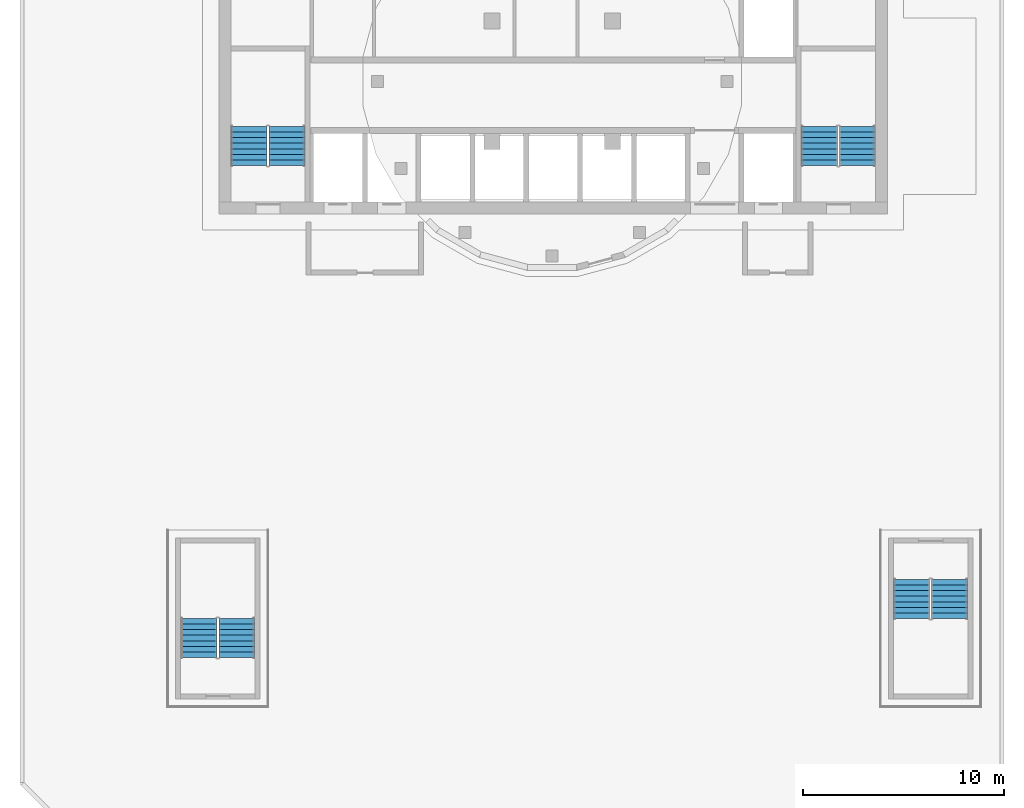
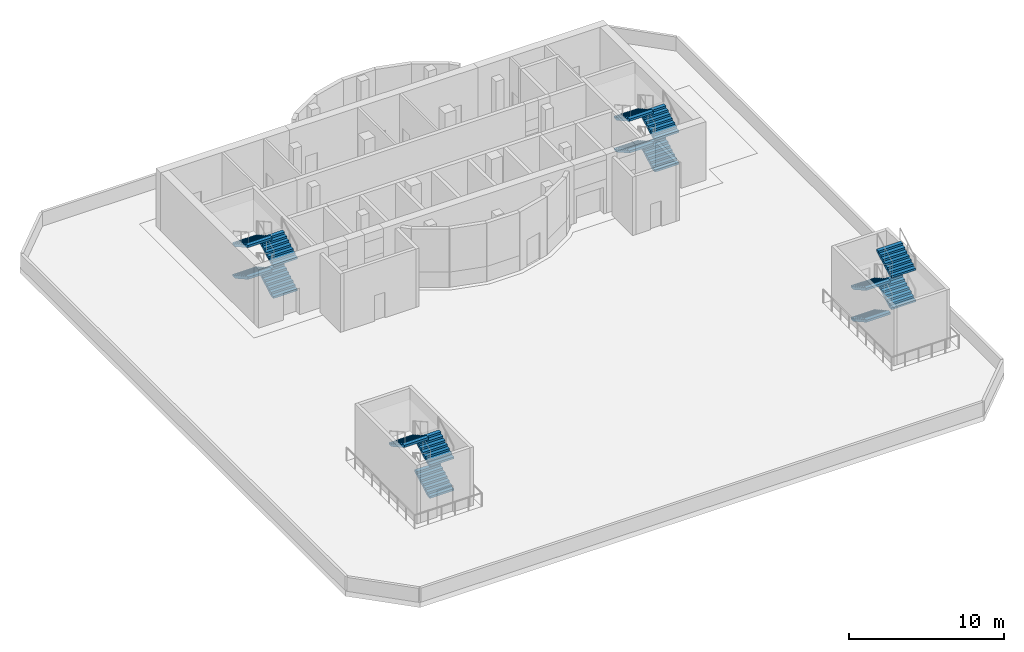
# One storey, part 5 of 7: 15 stair flights, 4 elements without a shape of their own.
"""IFC4 building model written with IfcOpenShell, lengths in metres."""

import ifcopenshell
import ifcopenshell.guid

model = None  # the IFC model being written
_history = None  # IfcOwnerHistory: only IFC2X3 demands one
_inside = {}  # id of a spatial element -> (the spatial element, [elements in it])
_under = {}  # id of a project, library or spatial element -> (it, [spatial elements below it])
_declared = {}  # id of a project -> (the project, [libraries it declares])
_typed = {}  # id of a type object -> (the type object, [elements of that type])
_made_of = {}  # id of a material, layer set ... -> (it, [elements and type objects made of it])


def new_model(schema):
    """Start an empty IFC model of exactly this schema.

    Asked for "IFC4X3", IfcOpenShell would pick the latest addendum, in which some entities
    have other attributes; the version numbers below select the first issue.
    IFC2X3 requires an IfcOwnerHistory on every rooted entity: one is made here for all.
    """
    global model, _history
    if schema == "IFC4X3":
        model = ifcopenshell.file(schema_version=(4, 3, 0, 0))
    else:
        model = ifcopenshell.file(schema=schema)
    _inside.clear()
    _under.clear()
    _declared.clear()
    _typed.clear()
    _made_of.clear()
    _history = None
    if model.schema == "IFC2X3":
        org = make("IfcOrganization", Name="unknown")
        user = make(
            "IfcPersonAndOrganization",
            ThePerson=make("IfcPerson", FamilyName="unknown"),
            TheOrganization=org,
        )
        app = make(
            "IfcApplication",
            ApplicationDeveloper=org,
            Version="unknown",
            ApplicationFullName="unknown",
            ApplicationIdentifier="unknown",
        )
        _history = make(
            "IfcOwnerHistory",
            OwningUser=user,
            OwningApplication=app,
            ChangeAction="ADDED",
            CreationDate=0,
        )
    return model


def make(cls, **values):
    """One entity of the class cls with the attributes given. An attribute that is None is left unset."""
    return model.create_entity(
        cls, **{name: value for name, value in values.items() if value is not None}
    )


def rooted(cls, **values):
    """An entity with a GlobalId (a new one), such as an element, a storey or a relation."""
    return make(cls, GlobalId=ifcopenshell.guid.new(), OwnerHistory=_history, **values)


def si_unit(unit_type, name, prefix=None):
    """IfcSIUnit, for example si_unit("LENGTHUNIT", "METRE", prefix="MILLI")."""
    return make("IfcSIUnit", UnitType=unit_type, Prefix=prefix, Name=name)


def assignment(units):
    """IfcUnitAssignment: the units of a project."""
    return None if units is None else make("IfcUnitAssignment", Units=units)


def point(xyz):
    """IfcCartesianPoint."""
    return None if xyz is None else make("IfcCartesianPoint", Coordinates=xyz)


def direction(xyz):
    """IfcDirection."""
    return None if xyz is None else make("IfcDirection", DirectionRatios=xyz)


def frame(location, z_axis=None, x_axis=None):
    """IfcAxis2Placement3D, a coordinate frame: its origin and axes. An axis left out is left unset."""
    return make(
        "IfcAxis2Placement3D",
        Location=point(location),
        Axis=direction(z_axis),
        RefDirection=direction(x_axis),
    )


def origin():
    """The frame at (0, 0, 0) with its axes left unset."""
    return frame((0.0, 0.0, 0.0))


def place(relative_to, where):
    """IfcLocalPlacement: puts the frame where relative to a parent placement (None: the world)."""
    return make(
        "IfcLocalPlacement", PlacementRelTo=relative_to, RelativePlacement=where
    )


def context(
    kind, dimensions, precision=None, world=None, true_north=None, identifier=None
):
    """IfcGeometricRepresentationContext, for example the 3D "Model" context."""
    return make(
        "IfcGeometricRepresentationContext",
        ContextIdentifier=identifier,
        ContextType=kind,
        CoordinateSpaceDimension=dimensions,
        Precision=precision,
        WorldCoordinateSystem=world,
        TrueNorth=true_north,
    )


def subcontext(parent, identifier, kind, view, scale=None):
    """IfcGeometricRepresentationSubContext, for example "Body" below "Model"."""
    return make(
        "IfcGeometricRepresentationSubContext",
        ContextIdentifier=identifier,
        ContextType=kind,
        ParentContext=parent,
        TargetScale=scale,
        TargetView=view,
    )


def project(units=None, contexts=None):
    """IfcProject with its units and contexts."""
    return rooted(
        "IfcProject",
        Name="project",
        RepresentationContexts=contexts,
        UnitsInContext=assignment(units),
    )


def spatial(cls, under=None, at=None, **own):
    """A site, building, storey or space (cls), placed at a placement, below another one or the project."""
    s = rooted(cls, ObjectPlacement=at, **own)
    if under is not None:
        _under.setdefault(under.id(), (under, []))[1].append(s)
    return s


def point_list(points):
    """IfcCartesianPointList2D or 3D."""
    cls = (
        "IfcCartesianPointList2D" if len(points[0]) == 2 else "IfcCartesianPointList3D"
    )
    return make(cls, CoordList=points)


def triangles(points, corners, closed=None, point_numbers=None):
    """IfcTriangulatedFaceSet: each triangle names its three corners, points numbered from 1."""
    return make(
        "IfcTriangulatedFaceSet",
        Coordinates=point_list(points),
        Closed=closed,
        CoordIndex=corners,
        PnIndex=point_numbers,
    )


def shape(context_of_items, identifier, shape_type, items):
    """IfcShapeRepresentation: the items that make up one representation, for example the "Body"."""
    return make(
        "IfcShapeRepresentation",
        ContextOfItems=context_of_items,
        RepresentationIdentifier=identifier,
        RepresentationType=shape_type,
        Items=items,
    )


def source(mapping_origin, context_of_items, identifier, shape_type, items):
    """IfcRepresentationMap: a shape defined once, which mapped items show again and again."""
    return make(
        "IfcRepresentationMap",
        MappingOrigin=mapping_origin,
        MappedRepresentation=shape(context_of_items, identifier, shape_type, items),
    )


def transform(
    local_origin,
    x_axis=None,
    y_axis=None,
    z_axis=None,
    scale=None,
    scale2=None,
    scale3=None,
    uniform=True,
):
    """IfcCartesianTransformationOperator3D, or its non-uniform kind. x_axis, y_axis, z_axis: its Axis1, 2, 3."""
    if uniform:
        return make(
            "IfcCartesianTransformationOperator3D",
            Axis1=direction(x_axis),
            Axis2=direction(y_axis),
            LocalOrigin=point(local_origin),
            Scale=scale,
            Axis3=direction(z_axis),
        )
    return make(
        "IfcCartesianTransformationOperator3DnonUniform",
        Axis1=direction(x_axis),
        Axis2=direction(y_axis),
        LocalOrigin=point(local_origin),
        Scale=scale,
        Axis3=direction(z_axis),
        Scale2=scale2,
        Scale3=scale3,
    )


def mapped(mapping_source, mapping_target):
    """IfcMappedItem: shows the shape of a source again, moved by a transform."""
    return make(
        "IfcMappedItem", MappingSource=mapping_source, MappingTarget=mapping_target
    )


def material(Name=None, Category=None):
    """IfcMaterial."""
    return make("IfcMaterial", Name=Name, Category=Category)


def made_of(thing, what):
    """Note that an element or type object is made of a material, layer set ...; save() writes the relation."""
    if what is not None:
        _made_of.setdefault(what.id(), (what, []))[1].append(thing)
    return thing


def type_object(cls, material=None, **own):
    """A type object (cls), such as IfcWallType, which elements share."""
    return made_of(rooted(cls, **own), material)


def element(
    cls,
    number,
    at=None,
    inside=None,
    cuts=None,
    type_object=None,
    material=None,
    context=None,
    identifier="Body",
    shape_type=None,
    held_by="IfcProductDefinitionShape",
    body=None,
    shapes=None,
    **own,
):
    """One element of the class cls, such as IfcWall. Its Tag is "e" and its number.

    at: its placement. inside: the storey or other place that contains it. cuts: it is an
    opening in that element (IfcRelVoidsElement). A single representation is given by context,
    identifier, shape_type and body (its items); several are given by shapes. held_by: the class
    of the entity that holds the representations. save() writes the other relations.
    """
    e = rooted(cls, Tag="e%d" % number, ObjectPlacement=at, **own)
    if body is not None:
        shapes = [shape(context, identifier, shape_type, body)]
    if shapes is not None:
        e.Representation = make(held_by, Representations=shapes)
    if inside is not None:
        _inside.setdefault(inside.id(), (inside, []))[1].append(e)
    if cuts is not None:
        rooted(
            "IfcRelVoidsElement", RelatingBuildingElement=cuts, RelatedOpeningElement=e
        )
    if type_object is not None:
        _typed.setdefault(type_object.id(), (type_object, []))[1].append(e)
    return made_of(e, material)


def aggregate(whole, parts):
    """IfcRelAggregates: a whole, such as a stair, and the parts it consists of."""
    return rooted("IfcRelAggregates", RelatingObject=whole, RelatedObjects=parts)


def save(model, path):
    """Write the relations noted so far, then the file.

    IfcRelAggregates (storeys below a building ...), IfcRelContainedInSpatialStructure (elements
    in a storey), IfcRelDefinesByType, IfcRelAssociatesMaterial and IfcRelDeclares: one each for
    every whole, place, type object, material and project.
    """
    for whole, parts in _under.values():
        aggregate(whole, parts)
    for where, things in _inside.values():
        rooted(
            "IfcRelContainedInSpatialStructure",
            RelatedElements=things,
            RelatingStructure=where,
        )
    for kind, things in _typed.values():
        rooted("IfcRelDefinesByType", RelatedObjects=things, RelatingType=kind)
    for what, things in _made_of.values():
        rooted("IfcRelAssociatesMaterial", RelatedObjects=things, RelatingMaterial=what)
    for by, libraries in _declared.values():
        rooted("IfcRelDeclares", RelatingContext=by, RelatedDefinitions=libraries)
    model.write(path)


model = new_model("IFC4")

# Units and contexts
model_context = context("Model", 3, precision=1e-05, world=origin(), true_north=direction((0.0, 1.0)))
body_context = subcontext(model_context, "Body", "Model", "MODEL_VIEW")
ifc_project = project(units=[si_unit("LENGTHUNIT", "METRE"), si_unit("AREAUNIT", "SQUARE_METRE"), si_unit("VOLUMEUNIT", "CUBIC_METRE"), si_unit("PLANEANGLEUNIT", "RADIAN"), si_unit("MASSUNIT", "GRAM", prefix="KILO")], contexts=[model_context])

# Site, building, storey
site_placement = place(None, origin())
site = spatial("IfcSite", under=ifc_project, at=site_placement, CompositionType="ELEMENT")
building_placement = place(site_placement, origin())
building = spatial("IfcBuilding", under=site, at=building_placement, Name="Kilnfold Tower and Market Hall", CompositionType="ELEMENT")
storey_placement = place(building_placement, frame((0.0, 0.0, 318.800048828125)))
storey = spatial("IfcBuildingStorey", under=building, at=storey_placement, Name="L80 Crown Plant", CompositionType="ELEMENT", Elevation=318.800048828125)

# Stair, stair flights
ifc_material_1 = material(Name="Concrete C40/50", Category="concrete")
stair_type = type_object("IfcStairType", Name="CORE STAIR 1800", PredefinedType="HALF_TURN_STAIR", material=ifc_material_1)
stair_1_placement = place(storey_placement, origin())
stair_1 = element("IfcStair", 1, at=stair_1_placement, inside=storey, type_object=stair_type, Name="L80 Crown Plant ST1", PredefinedType="HALF_TURN_STAIR")
ifc_material_2 = material(Name="Concrete C40/50", Category="concrete")
stair_flight_type = type_object("IfcStairFlightType", Name="CORE STAIR FLIGHT 1800", PredefinedType="STRAIGHT", material=ifc_material_2)
shared_shape = source(origin(), body_context, "Body", "Tessellation", [
    triangles([(0.0, 0.89990234375, 0.0), (0.0, 0.78759765625, 0.0), (0.0, 0.675048828125, 0.0), (0.0, 0.5625, 0.0), (0.0, 0.449951171875, 0.0), (0.0, 0.33740234375, 0.0), (0.0, 0.22509765625, 0.0), (0.0, 0.112548828125, 0.0), (0.0, 0.0, 0.0), (0.0, -0.112548828125, 0.0), (0.0, -0.22509765625, 0.0), (0.0, -0.33740234375, 0.0), (0.0, -0.449951171875, 0.0), (0.0, -0.5625, 0.0), (0.0, -0.675048828125, 0.0), (0.0, -0.78759765625, 0.0), (0.0, -0.89990234375, 0.0), (0.0, 0.89990234375, 0.15625), (0.0, 0.78759765625, 0.15625), (0.0, 0.675048828125, 0.15625), (0.0, 0.5625, 0.15625), (0.0, 0.449951171875, 0.15625), (0.0, 0.33740234375, 0.15625), (0.0, 0.22509765625, 0.15625), (0.0, 0.112548828125, 0.15625), (0.0, 0.0, 0.15625), (0.0, -0.112548828125, 0.15625), (0.0, -0.22509765625, 0.15625), (0.0, -0.33740234375, 0.15625), (0.0, -0.449951171875, 0.15625), (0.0, -0.5625, 0.15625), (0.0, -0.675048828125, 0.15625), (0.0, -0.78759765625, 0.15625), (0.0, -0.89990234375, 0.15625), (0.280029296875, 0.89990234375, 0.15625), (0.280029296875, 0.78759765625, 0.15625), (0.280029296875, 0.675048828125, 0.15625), (0.280029296875, 0.5625, 0.15625), (0.280029296875, 0.449951171875, 0.15625), (0.280029296875, 0.33740234375, 0.15625), (0.280029296875, 0.22509765625, 0.15625), (0.280029296875, 0.112548828125, 0.15625), (0.280029296875, 0.0, 0.15625), (0.280029296875, -0.112548828125, 0.15625), (0.280029296875, -0.22509765625, 0.15625), (0.280029296875, -0.33740234375, 0.15625), (0.280029296875, -0.449951171875, 0.15625), (0.280029296875, -0.5625, 0.15625), (0.280029296875, -0.675048828125, 0.15625), (0.280029296875, -0.78759765625, 0.15625), (0.280029296875, -0.89990234375, 0.15625), (0.280029296875, 0.89990234375, 0.3125), (0.280029296875, 0.78759765625, 0.3125), (0.280029296875, 0.675048828125, 0.3125), (0.280029296875, 0.5625, 0.3125), (0.280029296875, 0.449951171875, 0.3125), (0.280029296875, 0.33740234375, 0.3125), (0.280029296875, 0.22509765625, 0.3125), (0.280029296875, 0.112548828125, 0.3125), (0.280029296875, 0.0, 0.3125), (0.280029296875, -0.112548828125, 0.3125), (0.280029296875, -0.22509765625, 0.3125), (0.280029296875, -0.33740234375, 0.3125), (0.280029296875, -0.449951171875, 0.3125), (0.280029296875, -0.5625, 0.3125), (0.280029296875, -0.675048828125, 0.3125), (0.280029296875, -0.78759765625, 0.3125), (0.280029296875, -0.89990234375, 0.3125), (0.56005859375, 0.89990234375, 0.3125), (0.56005859375, 0.78759765625, 0.3125), (0.56005859375, 0.675048828125, 0.3125), (0.56005859375, 0.5625, 0.3125), (0.56005859375, 0.449951171875, 0.3125), (0.56005859375, 0.33740234375, 0.3125), (0.56005859375, 0.22509765625, 0.3125), (0.56005859375, 0.112548828125, 0.3125), (0.56005859375, 0.0, 0.3125), (0.56005859375, -0.112548828125, 0.3125), (0.56005859375, -0.22509765625, 0.3125), (0.56005859375, -0.33740234375, 0.3125), (0.56005859375, -0.449951171875, 0.3125), (0.56005859375, -0.5625, 0.3125), (0.56005859375, -0.675048828125, 0.3125), (0.56005859375, -0.78759765625, 0.3125), (0.56005859375, -0.89990234375, 0.3125), (0.56005859375, 0.89990234375, 0.46875), (0.56005859375, 0.78759765625, 0.46875), (0.56005859375, 0.675048828125, 0.46875), (0.56005859375, 0.5625, 0.46875), (0.56005859375, 0.449951171875, 0.46875), (0.56005859375, 0.33740234375, 0.46875), (0.56005859375, 0.22509765625, 0.46875), (0.56005859375, 0.112548828125, 0.46875), (0.56005859375, 0.0, 0.46875), (0.56005859375, -0.112548828125, 0.46875), (0.56005859375, -0.22509765625, 0.46875), (0.56005859375, -0.33740234375, 0.46875), (0.56005859375, -0.449951171875, 0.46875), (0.56005859375, -0.5625, 0.46875), (0.56005859375, -0.675048828125, 0.46875), (0.56005859375, -0.78759765625, 0.46875), (0.56005859375, -0.89990234375, 0.46875), (0.840087890625, 0.89990234375, 0.46875), (0.840087890625, 0.78759765625, 0.46875), (0.840087890625, 0.675048828125, 0.46875), (0.840087890625, 0.5625, 0.46875), (0.840087890625, 0.449951171875, 0.46875), (0.840087890625, 0.33740234375, 0.46875), (0.840087890625, 0.22509765625, 0.46875), (0.840087890625, 0.112548828125, 0.46875), (0.840087890625, 0.0, 0.46875), (0.840087890625, -0.112548828125, 0.46875), (0.840087890625, -0.22509765625, 0.46875), (0.840087890625, -0.33740234375, 0.46875), (0.840087890625, -0.449951171875, 0.46875), (0.840087890625, -0.5625, 0.46875), (0.840087890625, -0.675048828125, 0.46875), (0.840087890625, -0.78759765625, 0.46875), (0.840087890625, -0.89990234375, 0.46875), (0.840087890625, 0.89990234375, 0.625), (0.840087890625, 0.78759765625, 0.625), (0.840087890625, 0.675048828125, 0.625), (0.840087890625, 0.5625, 0.625), (0.840087890625, 0.449951171875, 0.625), (0.840087890625, 0.33740234375, 0.625), (0.840087890625, 0.22509765625, 0.625), (0.840087890625, 0.112548828125, 0.625), (0.840087890625, 0.0, 0.625), (0.840087890625, -0.112548828125, 0.625), (0.840087890625, -0.22509765625, 0.625), (0.840087890625, -0.33740234375, 0.625), (0.840087890625, -0.449951171875, 0.625), (0.840087890625, -0.5625, 0.625), (0.840087890625, -0.675048828125, 0.625), (0.840087890625, -0.78759765625, 0.625), (0.840087890625, -0.89990234375, 0.625), (1.1201171875, 0.89990234375, 0.625), (1.1201171875, 0.78759765625, 0.625), (1.1201171875, 0.675048828125, 0.625), (1.1201171875, 0.5625, 0.625), (1.1201171875, 0.449951171875, 0.625), (1.1201171875, 0.33740234375, 0.625), (1.1201171875, 0.22509765625, 0.625), (1.1201171875, 0.112548828125, 0.625), (1.1201171875, 0.0, 0.625), (1.1201171875, -0.112548828125, 0.625), (1.1201171875, -0.22509765625, 0.625), (1.1201171875, -0.33740234375, 0.625), (1.1201171875, -0.449951171875, 0.625), (1.1201171875, -0.5625, 0.625), (1.1201171875, -0.675048828125, 0.625), (1.1201171875, -0.78759765625, 0.625), (1.1201171875, -0.89990234375, 0.625), (1.1201171875, 0.89990234375, 0.78125), (1.1201171875, 0.78759765625, 0.78125), (1.1201171875, 0.675048828125, 0.78125), (1.1201171875, 0.5625, 0.78125), (1.1201171875, 0.449951171875, 0.78125), (1.1201171875, 0.33740234375, 0.78125), (1.1201171875, 0.22509765625, 0.78125), (1.1201171875, 0.112548828125, 0.78125), (1.1201171875, 0.0, 0.78125), (1.1201171875, -0.112548828125, 0.78125), (1.1201171875, -0.22509765625, 0.78125), (1.1201171875, -0.33740234375, 0.78125), (1.1201171875, -0.449951171875, 0.78125), (1.1201171875, -0.5625, 0.78125), (1.1201171875, -0.675048828125, 0.78125), (1.1201171875, -0.78759765625, 0.78125), (1.1201171875, -0.89990234375, 0.78125), (1.39990234375, 0.89990234375, 0.78125), (1.39990234375, 0.78759765625, 0.78125), (1.39990234375, 0.675048828125, 0.78125), (1.39990234375, 0.5625, 0.78125), (1.39990234375, 0.449951171875, 0.78125), (1.39990234375, 0.33740234375, 0.78125), (1.39990234375, 0.22509765625, 0.78125), (1.39990234375, 0.112548828125, 0.78125), (1.39990234375, 0.0, 0.78125), (1.39990234375, -0.112548828125, 0.78125), (1.39990234375, -0.22509765625, 0.78125), (1.39990234375, -0.33740234375, 0.78125), (1.39990234375, -0.449951171875, 0.78125), (1.39990234375, -0.5625, 0.78125), (1.39990234375, -0.675048828125, 0.78125), (1.39990234375, -0.78759765625, 0.78125), (1.39990234375, -0.89990234375, 0.78125), (1.39990234375, 0.89990234375, 0.9375), (1.39990234375, 0.78759765625, 0.9375), (1.39990234375, 0.675048828125, 0.9375), (1.39990234375, 0.5625, 0.9375), (1.39990234375, 0.449951171875, 0.9375), (1.39990234375, 0.33740234375, 0.9375), (1.39990234375, 0.22509765625, 0.9375), (1.39990234375, 0.112548828125, 0.9375), (1.39990234375, 0.0, 0.9375), (1.39990234375, -0.112548828125, 0.9375), (1.39990234375, -0.22509765625, 0.9375), (1.39990234375, -0.33740234375, 0.9375), (1.39990234375, -0.449951171875, 0.9375), (1.39990234375, -0.5625, 0.9375), (1.39990234375, -0.675048828125, 0.9375), (1.39990234375, -0.78759765625, 0.9375), (1.39990234375, -0.89990234375, 0.9375), (1.679931640625, 0.89990234375, 0.9375), (1.679931640625, 0.78759765625, 0.9375), (1.679931640625, 0.675048828125, 0.9375), (1.679931640625, 0.5625, 0.9375), (1.679931640625, 0.449951171875, 0.9375), (1.679931640625, 0.33740234375, 0.9375), (1.679931640625, 0.22509765625, 0.9375), (1.679931640625, 0.112548828125, 0.9375), (1.679931640625, 0.0, 0.9375), (1.679931640625, -0.112548828125, 0.9375), (1.679931640625, -0.22509765625, 0.9375), (1.679931640625, -0.33740234375, 0.9375), (1.679931640625, -0.449951171875, 0.9375), (1.679931640625, -0.5625, 0.9375), (1.679931640625, -0.675048828125, 0.9375), (1.679931640625, -0.78759765625, 0.9375), (1.679931640625, -0.89990234375, 0.9375), (1.679931640625, 0.89990234375, 1.09375), (1.679931640625, 0.78759765625, 1.09375), (1.679931640625, 0.675048828125, 1.09375), (1.679931640625, 0.5625, 1.09375), (1.679931640625, 0.449951171875, 1.09375), (1.679931640625, 0.33740234375, 1.09375), (1.679931640625, 0.22509765625, 1.09375), (1.679931640625, 0.112548828125, 1.09375), (1.679931640625, 0.0, 1.09375), (1.679931640625, -0.112548828125, 1.09375), (1.679931640625, -0.22509765625, 1.09375), (1.679931640625, -0.33740234375, 1.09375), (1.679931640625, -0.449951171875, 1.09375), (1.679931640625, -0.5625, 1.09375), (1.679931640625, -0.675048828125, 1.09375), (1.679931640625, -0.78759765625, 1.09375), (1.679931640625, -0.89990234375, 1.09375), (1.9599609375, 0.89990234375, 1.09375), (1.9599609375, 0.78759765625, 1.09375), (1.9599609375, 0.675048828125, 1.09375), (1.9599609375, 0.5625, 1.09375), (1.9599609375, 0.449951171875, 1.09375), (1.9599609375, 0.33740234375, 1.09375), (1.9599609375, 0.22509765625, 1.09375), (1.9599609375, 0.112548828125, 1.09375), (1.9599609375, 0.0, 1.09375), (1.9599609375, -0.112548828125, 1.09375), (1.9599609375, -0.22509765625, 1.09375), (1.9599609375, -0.33740234375, 1.09375), (1.9599609375, -0.449951171875, 1.09375), (1.9599609375, -0.5625, 1.09375), (1.9599609375, -0.675048828125, 1.09375), (1.9599609375, -0.78759765625, 1.09375), (1.9599609375, -0.89990234375, 1.09375), (1.9599609375, 0.89990234375, 0.922119140625), (1.9599609375, 0.78759765625, 0.922119140625), (1.9599609375, 0.675048828125, 0.922119140625), (1.9599609375, 0.5625, 0.922119140625), (1.9599609375, 0.449951171875, 0.922119140625), (1.9599609375, 0.33740234375, 0.922119140625), (1.9599609375, 0.22509765625, 0.922119140625), (1.9599609375, 0.112548828125, 0.922119140625), (1.9599609375, 0.0, 0.922119140625), (1.9599609375, -0.112548828125, 0.922119140625), (1.9599609375, -0.22509765625, 0.922119140625), (1.9599609375, -0.33740234375, 0.922119140625), (1.9599609375, -0.449951171875, 0.922119140625), (1.9599609375, -0.5625, 0.922119140625), (1.9599609375, -0.675048828125, 0.922119140625), (1.9599609375, -0.78759765625, 0.922119140625), (1.9599609375, -0.89990234375, 0.922119140625), (0.3076171875, 0.89990234375, 0.0), (0.3076171875, 0.78759765625, 0.0), (0.3076171875, 0.675048828125, 0.0), (0.3076171875, 0.5625, 0.0), (0.3076171875, 0.449951171875, 0.0), (0.3076171875, 0.33740234375, 0.0), (0.3076171875, 0.22509765625, 0.0), (0.3076171875, 0.112548828125, 0.0), (0.3076171875, 0.0, 0.0), (0.3076171875, -0.112548828125, 0.0), (0.3076171875, -0.22509765625, 0.0), (0.3076171875, -0.33740234375, 0.0), (0.3076171875, -0.449951171875, 0.0), (0.3076171875, -0.5625, 0.0), (0.3076171875, -0.675048828125, 0.0), (0.3076171875, -0.78759765625, 0.0), (0.3076171875, -0.89990234375, 0.0)], [[1, 256, 273], [17, 289, 272], [256, 222, 239], [272, 255, 238], [256, 205, 222], [272, 238, 221], [256, 188, 205], [272, 221, 204], [256, 171, 188], [272, 204, 187], [171, 137, 154], [187, 170, 153], [256, 137, 171], [272, 187, 153], [137, 103, 120], [153, 136, 119], [256, 103, 137], [272, 153, 119], [103, 69, 86], [119, 102, 85], [256, 69, 103], [272, 119, 85], [69, 35, 52], [85, 68, 51], [256, 35, 69], [272, 85, 51], [1, 35, 256], [17, 272, 51], [35, 1, 18], [51, 34, 17], [1, 19, 18], [1, 2, 19], [2, 20, 19], [2, 3, 20], [3, 21, 20], [3, 4, 21], [4, 22, 21], [4, 5, 22], [5, 23, 22], [5, 6, 23], [6, 24, 23], [6, 7, 24], [7, 25, 24], [7, 8, 25], [8, 26, 25], [8, 9, 26], [9, 27, 26], [9, 10, 27], [10, 28, 27], [10, 11, 28], [11, 29, 28], [11, 12, 29], [12, 30, 29], [12, 13, 30], [13, 31, 30], [13, 14, 31], [14, 32, 31], [14, 15, 32], [15, 33, 32], [15, 16, 33], [16, 34, 33], [16, 17, 34], [18, 36, 35], [18, 19, 36], [19, 37, 36], [19, 20, 37], [20, 38, 37], [20, 21, 38], [21, 39, 38], [21, 22, 39], [22, 40, 39], [22, 23, 40], [23, 41, 40], [23, 24, 41], [24, 42, 41], [24, 25, 42], [25, 43, 42], [25, 26, 43], [26, 44, 43], [26, 27, 44], [27, 45, 44], [27, 28, 45], [28, 46, 45], [28, 29, 46], [29, 47, 46], [29, 30, 47], [30, 48, 47], [30, 31, 48], [31, 49, 48], [31, 32, 49], [32, 50, 49], [32, 33, 50], [33, 51, 50], [33, 34, 51], [35, 53, 52], [35, 36, 53], [36, 54, 53], [36, 37, 54], [37, 55, 54], [37, 38, 55], [38, 56, 55], [38, 39, 56], [39, 57, 56], [39, 40, 57], [40, 58, 57], [40, 41, 58], [41, 59, 58], [41, 42, 59], [42, 60, 59], [42, 43, 60], [43, 61, 60], [43, 44, 61], [44, 62, 61], [44, 45, 62], [45, 63, 62], [45, 46, 63], [46, 64, 63], [46, 47, 64], [47, 65, 64], [47, 48, 65], [48, 66, 65], [48, 49, 66], [49, 67, 66], [49, 50, 67], [50, 68, 67], [50, 51, 68], [52, 70, 69], [52, 53, 70], [53, 71, 70], [53, 54, 71], [54, 72, 71], [54, 55, 72], [55, 73, 72], [55, 56, 73], [56, 74, 73], [56, 57, 74], [57, 75, 74], [57, 58, 75], [58, 76, 75], [58, 59, 76], [59, 77, 76], [59, 60, 77], [60, 78, 77], [60, 61, 78], [61, 79, 78], [61, 62, 79], [62, 80, 79], [62, 63, 80], [63, 81, 80], [63, 64, 81], [64, 82, 81], [64, 65, 82], [65, 83, 82], [65, 66, 83], [66, 84, 83], [66, 67, 84], [67, 85, 84], [67, 68, 85], [69, 87, 86], [69, 70, 87], [70, 88, 87], [70, 71, 88], [71, 89, 88], [71, 72, 89], [72, 90, 89], [72, 73, 90], [73, 91, 90], [73, 74, 91], [74, 92, 91], [74, 75, 92], [75, 93, 92], [75, 76, 93], [76, 94, 93], [76, 77, 94], [77, 95, 94], [77, 78, 95], [78, 96, 95], [78, 79, 96], [79, 97, 96], [79, 80, 97], [80, 98, 97], [80, 81, 98], [81, 99, 98], [81, 82, 99], [82, 100, 99], [82, 83, 100], [83, 101, 100], [83, 84, 101], [84, 102, 101], [84, 85, 102], [86, 104, 103], [86, 87, 104], [87, 105, 104], [87, 88, 105], [88, 106, 105], [88, 89, 106], [89, 107, 106], [89, 90, 107], [90, 108, 107], [90, 91, 108], [91, 109, 108], [91, 92, 109], [92, 110, 109], [92, 93, 110], [93, 111, 110], [93, 94, 111], [94, 112, 111], [94, 95, 112], [95, 113, 112], [95, 96, 113], [96, 114, 113], [96, 97, 114], [97, 115, 114], [97, 98, 115], [98, 116, 115], [98, 99, 116], [99, 117, 116], [99, 100, 117], [100, 118, 117], [100, 101, 118], [101, 119, 118], [101, 102, 119], [103, 121, 120], [103, 104, 121], [104, 122, 121], [104, 105, 122], [105, 123, 122], [105, 106, 123], [106, 124, 123], [106, 107, 124], [107, 125, 124], [107, 108, 125], [108, 126, 125], [108, 109, 126], [109, 127, 126], [109, 110, 127], [110, 128, 127], [110, 111, 128], [111, 129, 128], [111, 112, 129], [112, 130, 129], [112, 113, 130], [113, 131, 130], [113, 114, 131], [114, 132, 131], [114, 115, 132], [115, 133, 132], [115, 116, 133], [116, 134, 133], [116, 117, 134], [117, 135, 134], [117, 118, 135], [118, 136, 135], [118, 119, 136], [120, 138, 137], [120, 121, 138], [121, 139, 138], [121, 122, 139], [122, 140, 139], [122, 123, 140], [123, 141, 140], [123, 124, 141], [124, 142, 141], [124, 125, 142], [125, 143, 142], [125, 126, 143], [126, 144, 143], [126, 127, 144], [127, 145, 144], [127, 128, 145], [128, 146, 145], [128, 129, 146], [129, 147, 146], [129, 130, 147], [130, 148, 147], [130, 131, 148], [131, 149, 148], [131, 132, 149], [132, 150, 149], [132, 133, 150], [133, 151, 150], [133, 134, 151], [134, 152, 151], [134, 135, 152], [135, 153, 152], [135, 136, 153], [137, 155, 154], [137, 138, 155], [138, 156, 155], [138, 139, 156], [139, 157, 156], [139, 140, 157], [140, 158, 157], [140, 141, 158], [141, 159, 158], [141, 142, 159], [142, 160, 159], [142, 143, 160], [143, 161, 160], [143, 144, 161], [144, 162, 161], [144, 145, 162], [145, 163, 162], [145, 146, 163], [146, 164, 163], [146, 147, 164], [147, 165, 164], [147, 148, 165], [148, 166, 165], [148, 149, 166], [149, 167, 166], [149, 150, 167], [150, 168, 167], [150, 151, 168], [151, 169, 168], [151, 152, 169], [152, 170, 169], [152, 153, 170], [154, 172, 171], [154, 155, 172], [155, 173, 172], [155, 156, 173], [156, 174, 173], [156, 157, 174], [157, 175, 174], [157, 158, 175], [158, 176, 175], [158, 159, 176], [159, 177, 176], [159, 160, 177], [160, 178, 177], [160, 161, 178], [161, 179, 178], [161, 162, 179], [162, 180, 179], [162, 163, 180], [163, 181, 180], [163, 164, 181], [164, 182, 181], [164, 165, 182], [165, 183, 182], [165, 166, 183], [166, 184, 183], [166, 167, 184], [167, 185, 184], [167, 168, 185], [168, 186, 185], [168, 169, 186], [169, 187, 186], [169, 170, 187], [171, 189, 188], [171, 172, 189], [172, 190, 189], [172, 173, 190], [173, 191, 190], [173, 174, 191], [174, 192, 191], [174, 175, 192], [175, 193, 192], [175, 176, 193], [176, 194, 193], [176, 177, 194], [177, 195, 194], [177, 178, 195], [178, 196, 195], [178, 179, 196], [179, 197, 196], [179, 180, 197], [180, 198, 197], [180, 181, 198], [181, 199, 198], [181, 182, 199], [182, 200, 199], [182, 183, 200], [183, 201, 200], [183, 184, 201], [184, 202, 201], [184, 185, 202], [185, 203, 202], [185, 186, 203], [186, 204, 203], [186, 187, 204], [188, 206, 205], [188, 189, 206], [189, 207, 206], [189, 190, 207], [190, 208, 207], [190, 191, 208], [191, 209, 208], [191, 192, 209], [192, 210, 209], [192, 193, 210], [193, 211, 210], [193, 194, 211], [194, 212, 211], [194, 195, 212], [195, 213, 212], [195, 196, 213], [196, 214, 213], [196, 197, 214], [197, 215, 214], [197, 198, 215], [198, 216, 215], [198, 199, 216], [199, 217, 216], [199, 200, 217], [200, 218, 217], [200, 201, 218], [201, 219, 218], [201, 202, 219], [202, 220, 219], [202, 203, 220], [203, 221, 220], [203, 204, 221], [205, 223, 222], [205, 206, 223], [206, 224, 223], [206, 207, 224], [207, 225, 224], [207, 208, 225], [208, 226, 225], [208, 209, 226], [209, 227, 226], [209, 210, 227], [210, 228, 227], [210, 211, 228], [211, 229, 228], [211, 212, 229], [212, 230, 229], [212, 213, 230], [213, 231, 230], [213, 214, 231], [214, 232, 231], [214, 215, 232], [215, 233, 232], [215, 216, 233], [216, 234, 233], [216, 217, 234], [217, 235, 234], [217, 218, 235], [218, 236, 235], [218, 219, 236], [219, 237, 236], [219, 220, 237], [220, 238, 237], [220, 221, 238], [222, 240, 239], [222, 223, 240], [223, 241, 240], [223, 224, 241], [224, 242, 241], [224, 225, 242], [225, 243, 242], [225, 226, 243], [226, 244, 243], [226, 227, 244], [227, 245, 244], [227, 228, 245], [228, 246, 245], [228, 229, 246], [229, 247, 246], [229, 230, 247], [230, 248, 247], [230, 231, 248], [231, 249, 248], [231, 232, 249], [232, 250, 249], [232, 233, 250], [233, 251, 250], [233, 234, 251], [234, 252, 251], [234, 235, 252], [235, 253, 252], [235, 236, 253], [236, 254, 253], [236, 237, 254], [237, 255, 254], [237, 238, 255], [239, 257, 256], [239, 240, 257], [240, 258, 257], [240, 241, 258], [241, 259, 258], [241, 242, 259], [242, 260, 259], [242, 243, 260], [243, 261, 260], [243, 244, 261], [244, 262, 261], [244, 245, 262], [245, 263, 262], [245, 246, 263], [246, 264, 263], [246, 247, 264], [247, 265, 264], [247, 248, 265], [248, 266, 265], [248, 249, 266], [249, 267, 266], [249, 250, 267], [250, 268, 267], [250, 251, 268], [251, 269, 268], [251, 252, 269], [252, 270, 269], [252, 253, 270], [253, 271, 270], [253, 254, 271], [254, 272, 271], [254, 255, 272], [256, 274, 273], [256, 257, 274], [257, 275, 274], [257, 258, 275], [258, 276, 275], [258, 259, 276], [259, 277, 276], [259, 260, 277], [260, 278, 277], [260, 261, 278], [261, 279, 278], [261, 262, 279], [262, 280, 279], [262, 263, 280], [263, 281, 280], [263, 264, 281], [264, 282, 281], [264, 265, 282], [265, 283, 282], [265, 266, 283], [266, 284, 283], [266, 267, 284], [267, 285, 284], [267, 268, 285], [268, 286, 285], [268, 269, 286], [269, 287, 286], [269, 270, 287], [270, 288, 287], [270, 271, 288], [271, 289, 288], [271, 272, 289], [273, 2, 1], [273, 274, 2], [274, 3, 2], [274, 275, 3], [275, 4, 3], [275, 276, 4], [276, 5, 4], [276, 277, 5], [277, 6, 5], [277, 278, 6], [278, 7, 6], [278, 279, 7], [279, 8, 7], [279, 280, 8], [280, 9, 8], [280, 281, 9], [281, 10, 9], [281, 282, 10], [282, 11, 10], [282, 283, 11], [283, 12, 11], [283, 284, 12], [284, 13, 12], [284, 285, 13], [285, 14, 13], [285, 286, 14], [286, 15, 14], [286, 287, 15], [287, 16, 15], [287, 288, 16], [288, 17, 16], [288, 289, 17]], closed=True),
])
stair_flight_1_placement = place(storey_placement, frame((-12.199951171875, 10.800048828125, 0.0), z_axis=(0.0, 0.0, 1.0), x_axis=(0.0, 1.0, 0.0)))
stair_flight_1 = element("IfcStairFlight", 2, at=stair_flight_1_placement, type_object=stair_flight_type, Name="ST1 flight 1", NumberOfRisers=8, NumberOfTreads=7, PredefinedType="STRAIGHT", RiserHeight=0.15625, TreadLength=0.28, context=body_context, shape_type="MappedRepresentation", body=[
    mapped(shared_shape, transform((0.0, 0.0, 0.0))),
])
stair_flight_2_placement = place(storey_placement, frame((-14.10009765625, 12.760009765625, 1.25), z_axis=(0.0, 0.0, 1.0), x_axis=(0.0, -1.0, 0.0)))
stair_flight_2 = element("IfcStairFlight", 3, at=stair_flight_2_placement, type_object=stair_flight_type, Name="ST1 flight 2", NumberOfRisers=8, NumberOfTreads=7, PredefinedType="STRAIGHT", RiserHeight=0.15625, TreadLength=0.28, context=body_context, shape_type="MappedRepresentation", body=[
    mapped(shared_shape, transform((0.0, 0.0, 0.0))),
])
stair_flight_3_placement = place(storey_placement, frame((-12.199951171875, 10.800048828125, 2.5), z_axis=(0.0, 0.0, 1.0), x_axis=(0.0, 1.0, 0.0)))
stair_flight_3 = element("IfcStairFlight", 4, at=stair_flight_3_placement, type_object=stair_flight_type, Name="ST1 flight 3", NumberOfRisers=8, NumberOfTreads=7, PredefinedType="STRAIGHT", RiserHeight=0.15625, TreadLength=0.28, context=body_context, shape_type="MappedRepresentation", body=[
    mapped(shared_shape, transform((0.0, 0.0, 0.0))),
])
stair_flight_4_placement = place(storey_placement, frame((-14.10009765625, 12.760009765625, 3.75), z_axis=(0.0, 0.0, 1.0), x_axis=(0.0, -1.0, 0.0)))
stair_flight_4 = element("IfcStairFlight", 5, at=stair_flight_4_placement, type_object=stair_flight_type, Name="ST1 flight 4", NumberOfRisers=8, NumberOfTreads=7, PredefinedType="STRAIGHT", RiserHeight=0.15625, TreadLength=0.28, context=body_context, shape_type="MappedRepresentation", body=[
    mapped(shared_shape, transform((0.0, 0.0, 0.0))),
])
aggregate(stair_1, [stair_flight_1, stair_flight_2, stair_flight_3, stair_flight_4])

stair_2_placement = place(storey_placement, origin())
stair_2 = element("IfcStair", 6, at=stair_2_placement, inside=storey, type_object=stair_type, Name="L80 Crown Plant ST2", PredefinedType="HALF_TURN_STAIR")
stair_flight_5_placement = place(storey_placement, frame((16.199951171875, 10.800048828125, 0.0), z_axis=(0.0, 0.0, 1.0), x_axis=(0.0, 1.0, 0.0)))
stair_flight_5 = element("IfcStairFlight", 7, at=stair_flight_5_placement, type_object=stair_flight_type, Name="ST2 flight 1", NumberOfRisers=8, NumberOfTreads=7, PredefinedType="STRAIGHT", RiserHeight=0.15625, TreadLength=0.28, context=body_context, shape_type="MappedRepresentation", body=[
    mapped(shared_shape, transform((0.0, 0.0, 0.0))),
])
stair_flight_6_placement = place(storey_placement, frame((14.300048828125, 12.760009765625, 1.25), z_axis=(0.0, 0.0, 1.0), x_axis=(0.0, -1.0, 0.0)))
stair_flight_6 = element("IfcStairFlight", 8, at=stair_flight_6_placement, type_object=stair_flight_type, Name="ST2 flight 2", NumberOfRisers=8, NumberOfTreads=7, PredefinedType="STRAIGHT", RiserHeight=0.15625, TreadLength=0.28, context=body_context, shape_type="MappedRepresentation", body=[
    mapped(shared_shape, transform((0.0, 0.0, 0.0))),
])
stair_flight_7_placement = place(storey_placement, frame((16.199951171875, 10.800048828125, 2.5), z_axis=(0.0, 0.0, 1.0), x_axis=(0.0, 1.0, 0.0)))
stair_flight_7 = element("IfcStairFlight", 9, at=stair_flight_7_placement, type_object=stair_flight_type, Name="ST2 flight 3", NumberOfRisers=8, NumberOfTreads=7, PredefinedType="STRAIGHT", RiserHeight=0.15625, TreadLength=0.28, context=body_context, shape_type="MappedRepresentation", body=[
    mapped(shared_shape, transform((0.0, 0.0, 0.0))),
])
stair_flight_8_placement = place(storey_placement, frame((14.300048828125, 12.760009765625, 3.75), z_axis=(0.0, 0.0, 1.0), x_axis=(0.0, -1.0, 0.0)))
stair_flight_8 = element("IfcStairFlight", 10, at=stair_flight_8_placement, type_object=stair_flight_type, Name="ST2 flight 4", NumberOfRisers=8, NumberOfTreads=7, PredefinedType="STRAIGHT", RiserHeight=0.15625, TreadLength=0.28, context=body_context, shape_type="MappedRepresentation", body=[
    mapped(shared_shape, transform((0.0, 0.0, 0.0))),
])
aggregate(stair_2, [stair_flight_5, stair_flight_6, stair_flight_7, stair_flight_8])

stair_3_placement = place(storey_placement, origin())
stair_3 = element("IfcStair", 11, at=stair_3_placement, inside=storey, type_object=stair_type, Name="L80 Crown Plant ST3", PredefinedType="HALF_TURN_STAIR")
stair_flight_9_placement = place(storey_placement, frame((-14.699951171875, -13.699951171875, 0.0), z_axis=(0.0, 0.0, 1.0), x_axis=(0.0, 1.0, 0.0)))
stair_flight_9 = element("IfcStairFlight", 12, at=stair_flight_9_placement, type_object=stair_flight_type, Name="ST3 flight 1", NumberOfRisers=8, NumberOfTreads=7, PredefinedType="STRAIGHT", RiserHeight=0.15625, TreadLength=0.28, context=body_context, shape_type="MappedRepresentation", body=[
    mapped(shared_shape, transform((0.0, 0.0, 0.0))),
])
stair_flight_10_placement = place(storey_placement, frame((-14.699951171875, -13.699951171875, 2.5), z_axis=(0.0, 0.0, 1.0), x_axis=(0.0, 1.0, 0.0)))
stair_flight_10 = element("IfcStairFlight", 13, at=stair_flight_10_placement, type_object=stair_flight_type, Name="ST3 flight 3", NumberOfRisers=8, NumberOfTreads=7, PredefinedType="STRAIGHT", RiserHeight=0.15625, TreadLength=0.28, context=body_context, shape_type="MappedRepresentation", body=[
    mapped(shared_shape, transform((0.0, 0.0, 0.0))),
])
stair_flight_11_placement = place(storey_placement, frame((-16.60009765625, -11.739990234375, 3.75), z_axis=(0.0, 0.0, 1.0), x_axis=(0.0, -1.0, 0.0)))
stair_flight_11 = element("IfcStairFlight", 14, at=stair_flight_11_placement, type_object=stair_flight_type, Name="ST3 flight 4", NumberOfRisers=8, NumberOfTreads=7, PredefinedType="STRAIGHT", RiserHeight=0.15625, TreadLength=0.28, context=body_context, shape_type="MappedRepresentation", body=[
    mapped(shared_shape, transform((0.0, 0.0, 0.0))),
])
aggregate(stair_3, [stair_flight_9, stair_flight_10, stair_flight_11])

stair_4_placement = place(storey_placement, origin())
stair_4 = element("IfcStair", 15, at=stair_4_placement, inside=storey, type_object=stair_type, Name="L80 Crown Plant ST4", PredefinedType="HALF_TURN_STAIR")
stair_flight_12_placement = place(storey_placement, frame((18.89990234375, -9.800048828125, 0.0), z_axis=(0.0, 0.0, 1.0), x_axis=(0.0, -1.0, 0.0)))
stair_flight_12 = element("IfcStairFlight", 16, at=stair_flight_12_placement, type_object=stair_flight_type, Name="ST4 flight 1", NumberOfRisers=8, NumberOfTreads=7, PredefinedType="STRAIGHT", RiserHeight=0.15625, TreadLength=0.28, context=body_context, shape_type="MappedRepresentation", body=[
    mapped(shared_shape, transform((0.0, 0.0, 0.0))),
])
stair_flight_13_placement = place(storey_placement, frame((20.800048828125, -11.760009765625, 1.25), z_axis=(0.0, 0.0, 1.0), x_axis=(0.0, 1.0, 0.0)))
stair_flight_13 = element("IfcStairFlight", 17, at=stair_flight_13_placement, type_object=stair_flight_type, Name="ST4 flight 2", NumberOfRisers=8, NumberOfTreads=7, PredefinedType="STRAIGHT", RiserHeight=0.15625, TreadLength=0.28, context=body_context, shape_type="MappedRepresentation", body=[
    mapped(shared_shape, transform((0.0, 0.0, 0.0))),
])
stair_flight_14_placement = place(storey_placement, frame((18.89990234375, -9.800048828125, 2.5), z_axis=(0.0, 0.0, 1.0), x_axis=(0.0, -1.0, 0.0)))
stair_flight_14 = element("IfcStairFlight", 18, at=stair_flight_14_placement, type_object=stair_flight_type, Name="ST4 flight 3", NumberOfRisers=8, NumberOfTreads=7, PredefinedType="STRAIGHT", RiserHeight=0.15625, TreadLength=0.28, context=body_context, shape_type="MappedRepresentation", body=[
    mapped(shared_shape, transform((0.0, 0.0, 0.0))),
])
stair_flight_15_placement = place(storey_placement, frame((20.800048828125, -11.760009765625, 3.75), z_axis=(0.0, 0.0, 1.0), x_axis=(0.0, 1.0, 0.0)))
stair_flight_15 = element("IfcStairFlight", 19, at=stair_flight_15_placement, type_object=stair_flight_type, Name="ST4 flight 4", NumberOfRisers=8, NumberOfTreads=7, PredefinedType="STRAIGHT", RiserHeight=0.15625, TreadLength=0.28, context=body_context, shape_type="MappedRepresentation", body=[
    mapped(shared_shape, transform((0.0, 0.0, 0.0))),
])
aggregate(stair_4, [stair_flight_12, stair_flight_13, stair_flight_14, stair_flight_15])

save(model, "model.ifc")
